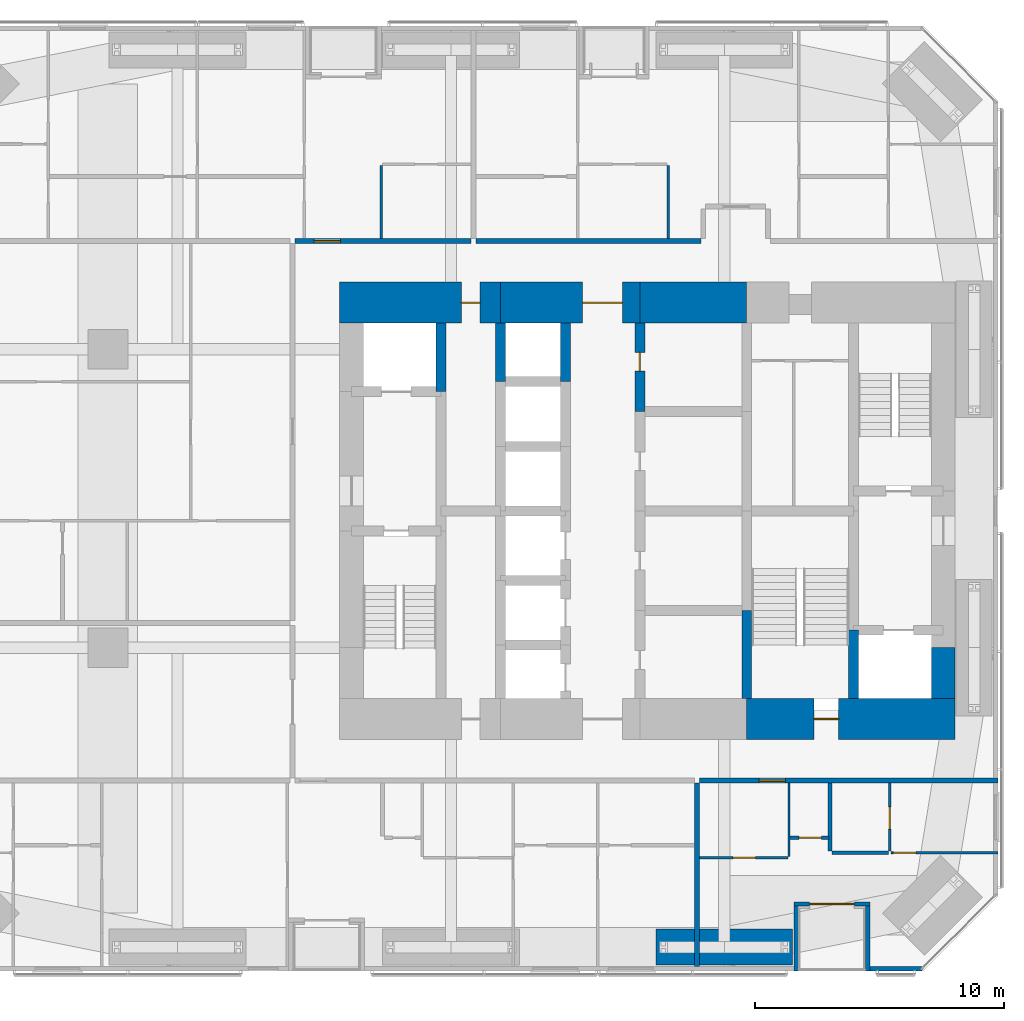
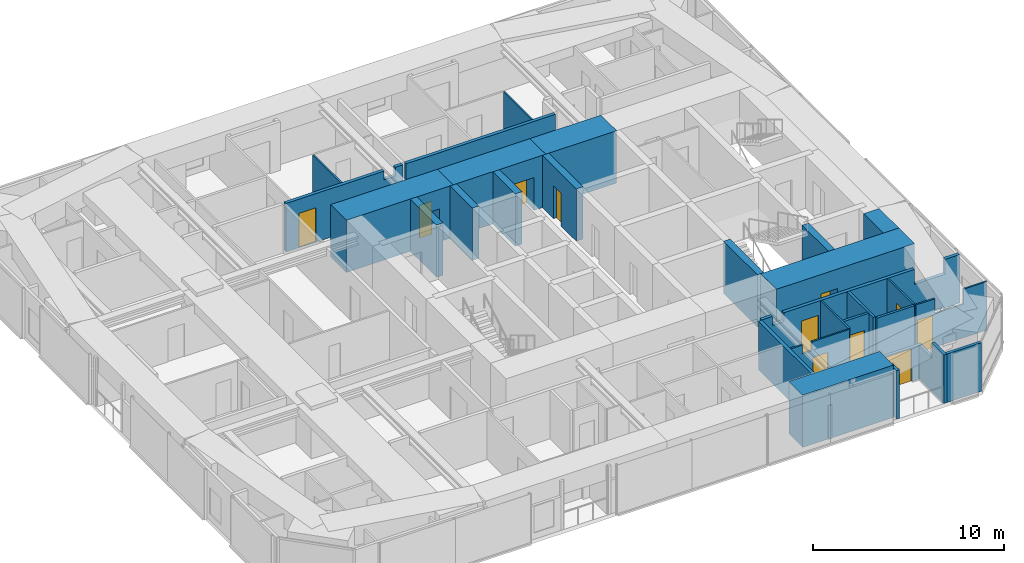
# One storey, part 18 of 22: 30 walls, 11 doors, 11 openings.
"""IFC4 building model written with IfcOpenShell, lengths in metres."""

from ifc_helpers import new_model, si_unit, direction, frame, frame_2d, origin, place, context, subcontext, project, spatial, polyline, rectangle, outline, extrude, material, layer, layer_set, constituent, constituent_set, type_object, element, fill, save


model = new_model("IFC4")

# Units and contexts
model_context = context("Model", 3, precision=1e-05, world=origin(), true_north=direction((0.0, 1.0)))
body_context = subcontext(model_context, "Body", "Model", "MODEL_VIEW")
ifc_project = project(units=[si_unit("LENGTHUNIT", "METRE"), si_unit("AREAUNIT", "SQUARE_METRE"), si_unit("VOLUMEUNIT", "CUBIC_METRE"), si_unit("PLANEANGLEUNIT", "RADIAN"), si_unit("MASSUNIT", "GRAM", prefix="KILO")], contexts=[model_context])

# Site, building, storey
site_placement = place(None, origin())
site = spatial("IfcSite", under=ifc_project, at=site_placement, CompositionType="ELEMENT")
building_placement = place(site_placement, origin())
building = spatial("IfcBuilding", under=site, at=building_placement, Name="Jalousie Tower", CompositionType="ELEMENT")
storey_placement = place(building_placement, frame((0.0, 0.0, 64.550048828125)))
storey = spatial("IfcBuildingStorey", under=building, at=storey_placement, Name="L17", CompositionType="ELEMENT", Elevation=64.550048828125)

# Walls
ifc_material_1 = material(Name="Concrete block ASTM C90", Category="concrete")
ifc_constituent_1 = constituent(ifc_material_1, Name="Body")
ifc_material_2 = material(Name="Render")
ifc_constituent_2 = constituent(ifc_material_2, Name="Finish")
ifc_constituent_set_1 = constituent_set(constituents=[ifc_constituent_1, ifc_constituent_2])
wall_type_1 = type_object("IfcWallType", Name="BATHROOM WALL 150", PredefinedType="PLUMBINGWALL", material=ifc_constituent_set_1)
wall_1_placement = place(storey_placement, frame((39.324951171875, 4.74658203125, 0.0), z_axis=(0.0, 0.0, 1.0), x_axis=(1.0, 0.0, 0.0)))
element("IfcWall", 1, at=wall_1_placement, inside=storey, type_object=wall_type_1, Name="Bathroom Wall 150 L17", PredefinedType="PLUMBINGWALL", context=body_context, shape_type="SweptSolid", body=[
    extrude(rectangle(XDim=2.275146484375, YDim=0.14990234375, at=frame_2d((1.1376953125, 0.0))), origin(), (0.0, 0.0, 1.0), 3.10986328125),
])
wall_2_placement = place(storey_placement, frame((39.25, 4.82177734375, 0.0), z_axis=(0.0, 0.0, 1.0), x_axis=(0.0, 1.0, 0.0)))
element("IfcWall", 2, at=wall_2_placement, inside=storey, type_object=wall_type_1, Name="Bathroom Wall 150 L17", PredefinedType="PLUMBINGWALL", context=body_context, shape_type="SweptSolid", body=[
    extrude(rectangle(XDim=2.728271484375, YDim=0.14990234375, at=frame_2d((1.3642578125, 0.0))), origin(), (0.0, 0.0, 1.0), 3.10986328125),
])

# Wall, opening, door
wall_3_placement = place(storey_placement, frame((37.64990234375, 5.35009765625, 0.0), z_axis=(0.0, 0.0, 1.0), x_axis=(1.0, 0.0, 0.0)))
wall_3 = element("IfcWall", 3, at=wall_3_placement, inside=storey, type_object=wall_type_1, Name="Bathroom Wall 150 L17", PredefinedType="PLUMBINGWALL", context=body_context, shape_type="SweptSolid", body=[
    extrude(rectangle(XDim=1.550048828125, YDim=0.14990234375, at=frame_2d((0.77490234375, 0.0))), origin(), (0.0, 0.0, 1.0), 3.10986328125),
])
opening_1_placement = place(wall_3_placement, frame((0.35009765625, 0.0, 0.0)))
opening_1 = element("IfcOpeningElement", 4, at=opening_1_placement, cuts=wall_3, Name="Opening D7", PredefinedType="OPENING", context=body_context, shape_type="SweptSolid", body=[
    extrude(rectangle(XDim=0.89990234375, YDim=2.10009765625, at=frame_2d((0.449951171875, 1.050048828125))), frame((0.0, 0.0849609375, 0.0), z_axis=(0.0, -1.0, 0.0), x_axis=(1.0, 0.0, 0.0)), (0.0, 0.0, 1.0), 0.169921875),
])
ifc_material_3 = material(Name="Timber door", Category="wood")
door_type_1 = type_object("IfcDoorType", Name="INTERNAL DOOR 900", OperationType="SINGLE_SWING_LEFT", PredefinedType="DOOR", material=ifc_material_3)
door_1_placement = place(opening_1_placement, origin())
door_1 = element("IfcDoor", 5, at=door_1_placement, inside=storey, type_object=door_type_1, Name="Apartment 1702 guest WC door", OperationType="SINGLE_SWING_RIGHT", OverallHeight=2.10009765625, OverallWidth=0.89990234375, PredefinedType="DOOR", context=body_context, shape_type="SweptSolid", body=[
    extrude(rectangle(XDim=0.89990234375, YDim=2.10009765625, at=frame_2d((0.449951171875, 1.050048828125))), frame((0.0, 0.02490234375, 0.0), z_axis=(0.0, -1.0, 0.0), x_axis=(1.0, 0.0, 0.0)), (0.0, 0.0, 1.0), 0.050048828125),
])
fill(opening_1, door_1)

ifc_material_4 = material(Name="Concrete f'c 120 MPa", Category="concrete")
ifc_layer_1 = layer(ifc_material_4, 1.64990234375)
ifc_layer_set_1 = layer_set([ifc_layer_1], Name="Concrete f'c 120 MPa")
wall_type_2 = type_object("IfcWallType", Name="CORE WALL 1650", PredefinedType="SHEAR", material=ifc_layer_set_1)
wall_4_placement = place(storey_placement, frame((35.89990234375, 10.125, 0.0), z_axis=(0.0, 0.0, 1.0), x_axis=(1.0, 0.0, 0.0)))
wall_4 = element("IfcWall", 6, at=wall_4_placement, inside=storey, type_object=wall_type_2, Name="Core wall SD L17", PredefinedType="SHEAR", context=body_context, shape_type="SweptSolid", body=[
    extrude(rectangle(XDim=8.375, YDim=1.64990234375, at=frame_2d((4.1875, 0.0))), origin(), (0.0, 0.0, 1.0), 3.349853515625),
])
opening_2_placement = place(wall_4_placement, frame((2.699951171875, 0.0, 0.0)))
opening_2 = element("IfcOpeningElement", 7, at=opening_2_placement, cuts=wall_4, Name="Opening D10", PredefinedType="OPENING", context=body_context, shape_type="SweptSolid", body=[
    extrude(rectangle(XDim=1.0, YDim=2.10009765625, at=frame_2d((0.5, 1.050048828125))), frame((0.0, 0.8349609375, 0.0), z_axis=(0.0, -1.0, 0.0), x_axis=(1.0, 0.0, 0.0)), (0.0, 0.0, 1.0), 1.669921875),
])
ifc_material_5 = material(Name="Steel fire door", Category="steel")
door_type_2 = type_object("IfcDoorType", Name="STAIR DOOR 1000", OperationType="SINGLE_SWING_LEFT", PredefinedType="DOOR", material=ifc_material_5)
door_2_placement = place(opening_2_placement, origin())
door_2 = element("IfcDoor", 8, at=door_2_placement, inside=storey, type_object=door_type_2, Name="Exit stair C door", OperationType="SINGLE_SWING_RIGHT", OverallHeight=2.10009765625, OverallWidth=1.0, PredefinedType="DOOR", context=body_context, shape_type="SweptSolid", body=[
    extrude(rectangle(XDim=1.0, YDim=2.10009765625, at=frame_2d((0.5, 1.050048828125))), frame((0.0, 0.02490234375, 0.0), z_axis=(0.0, -1.0, 0.0), x_axis=(1.0, 0.0, 0.0)), (0.0, 0.0, 1.0), 0.050048828125),
])
fill(opening_2, door_2)

# Wall
wall_5_placement = place(storey_placement, frame((35.89990234375, 26.875, 0.0), z_axis=(0.0, 0.0, 1.0), x_axis=(-1.0, 0.0, 0.0)))
element("IfcWall", 9, at=wall_5_placement, inside=storey, type_object=wall_type_2, Name="Core wall NB L17", PredefinedType="SHEAR", context=body_context, shape_type="SweptSolid", body=[
    extrude(rectangle(XDim=4.2998046875, YDim=1.64990234375, at=frame_2d((2.14990234375, 0.0))), origin(), (0.0, 0.0, 1.0), 3.349853515625),
])

# Wall, opening, door
wall_6_placement = place(storey_placement, frame((31.60009765625, 26.875, 0.0), z_axis=(0.0, 0.0, 1.0), x_axis=(-1.0, 0.0, 0.0)))
wall_6 = element("IfcWall", 10, at=wall_6_placement, inside=storey, type_object=wall_type_2, Name="Core wall NC L17", PredefinedType="SHEAR", context=body_context, shape_type="SweptSolid", body=[
    extrude(rectangle(XDim=5.60009765625, YDim=1.64990234375, at=frame_2d((2.800048828125, 0.0))), origin(), (0.0, 0.0, 1.0), 3.349853515625),
])
opening_3_placement = place(wall_6_placement, frame((0.699951171875, 0.0, 0.0)))
opening_3 = element("IfcOpeningElement", 11, at=opening_3_placement, cuts=wall_6, Name="Opening D15", PredefinedType="OPENING", context=body_context, shape_type="SweptSolid", body=[
    extrude(rectangle(XDim=1.60009765625, YDim=2.10009765625, at=frame_2d((0.800048828125, 1.050048828125))), frame((0.0, 0.8349609375, 0.0), z_axis=(0.0, -1.0, 0.0), x_axis=(1.0, 0.0, 0.0)), (0.0, 0.0, 1.0), 1.669921875),
])
ifc_material_6 = material(Name="Steel fire door", Category="steel")
door_type_3 = type_object("IfcDoorType", Name="LIFT LOBBY DOOR 1600", OperationType="DOUBLE_DOOR_SINGLE_SWING", PredefinedType="DOOR", material=ifc_material_6)
door_3_placement = place(opening_3_placement, origin())
door_3 = element("IfcDoor", 12, at=door_3_placement, inside=storey, type_object=door_type_3, Name="Lift lobby north door", OperationType="DOUBLE_DOOR_SINGLE_SWING", OverallHeight=2.10009765625, OverallWidth=1.60009765625, PredefinedType="DOOR", context=body_context, shape_type="SweptSolid", body=[
    extrude(rectangle(XDim=1.60009765625, YDim=2.10009765625, at=frame_2d((0.800048828125, 1.050048828125))), frame((0.0, 0.02490234375, 0.0), z_axis=(0.0, -1.0, 0.0), x_axis=(1.0, 0.0, 0.0)), (0.0, 0.0, 1.0), 0.050048828125),
])
fill(opening_3, door_3)

wall_7_placement = place(storey_placement, frame((26.0, 26.875, 0.0), z_axis=(0.0, 0.0, 1.0), x_axis=(-1.0, 0.0, 0.0)))
wall_7 = element("IfcWall", 13, at=wall_7_placement, inside=storey, type_object=wall_type_2, Name="Core wall ND L17", PredefinedType="SHEAR", context=body_context, shape_type="SweptSolid", body=[
    extrude(rectangle(XDim=6.47509765625, YDim=1.64990234375, at=frame_2d((3.237548828125, 0.0))), origin(), (0.0, 0.0, 1.0), 3.349853515625),
])
opening_4_placement = place(wall_7_placement, frame((0.824951171875, 0.0, 0.0)))
opening_4 = element("IfcOpeningElement", 14, at=opening_4_placement, cuts=wall_7, Name="Opening D16", PredefinedType="OPENING", context=body_context, shape_type="SweptSolid", body=[
    extrude(rectangle(XDim=0.75, YDim=2.10009765625, at=frame_2d((0.375, 1.050048828125))), frame((0.0, 0.8349609375, 0.0), z_axis=(0.0, -1.0, 0.0), x_axis=(1.0, 0.0, 0.0)), (0.0, 0.0, 1.0), 1.669921875),
])
ifc_material_7 = material(Name="Steel fire door", Category="steel")
door_type_4 = type_object("IfcDoorType", Name="RISER DOOR 750", OperationType="SINGLE_SWING_LEFT", PredefinedType="DOOR", material=ifc_material_7)
door_4_placement = place(opening_4_placement, origin())
door_4 = element("IfcDoor", 15, at=door_4_placement, inside=storey, type_object=door_type_4, Name="North riser door", OperationType="SINGLE_SWING_RIGHT", OverallHeight=2.10009765625, OverallWidth=0.75, PredefinedType="DOOR", context=body_context, shape_type="SweptSolid", body=[
    extrude(rectangle(XDim=0.75, YDim=2.10009765625, at=frame_2d((0.375, 1.050048828125))), frame((0.0, 0.02490234375, 0.0), z_axis=(0.0, -1.0, 0.0), x_axis=(1.0, 0.0, 0.0)), (0.0, 0.0, 1.0), 0.050048828125),
])
fill(opening_4, door_4)

# Walls
ifc_material_8 = material(Name="Concrete f'c 120 MPa", Category="concrete")
ifc_layer_2 = layer(ifc_material_8, 0.39990234375)
ifc_layer_set_2 = layer_set([ifc_layer_2], Name="Concrete f'c 120 MPa")
wall_type_3 = type_object("IfcWallType", Name="CORE WALL 400", PredefinedType="SHEAR", material=ifc_layer_set_2)
wall_8_placement = place(storey_placement, frame((23.60009765625, 23.300048828125, 0.0), z_axis=(0.0, 0.0, 1.0), x_axis=(0.0, 1.0, 0.0)))
element("IfcWall", 16, at=wall_8_placement, inside=storey, type_object=wall_type_3, Name="Core wall X23.6C L17", PredefinedType="SHEAR", context=body_context, shape_type="SweptSolid", body=[
    extrude(rectangle(XDim=2.75, YDim=0.39990234375, at=frame_2d((1.375, 0.0))), origin(), (0.0, 0.0, 1.0), 3.349853515625),
])
for number, where, z_axis, x_axis, name in (
    (17, (26.0, 23.699951171875, 0.0), (0.0, 0.0, 1.0), (0.0, 1.0, 0.0), "Core wall X26F L17"),
    (18, (28.60009765625, 23.699951171875, 0.0), (0.0, 0.0, 1.0), (0.0, 1.0, 0.0), "Core wall X28.6F L17"),
):
    element("IfcWall", number, at=place(storey_placement, frame(where, z_axis=z_axis, x_axis=x_axis)), inside=storey, type_object=wall_type_3, Name=name, PredefinedType="SHEAR", context=body_context, shape_type="SweptSolid", body=[
        extrude(rectangle(XDim=2.35009765625, YDim=0.39990234375, at=frame_2d((1.175048828125, 0.0))), origin(), (0.0, 0.0, 1.0), 3.349853515625),
    ])

# Wall, opening, door
wall_9_placement = place(storey_placement, frame((31.60009765625, 22.5, 0.0), z_axis=(0.0, 0.0, 1.0), x_axis=(0.0, 1.0, 0.0)))
wall_9 = element("IfcWall", 19, at=wall_9_placement, inside=storey, type_object=wall_type_3, Name="Core wall X31.6D L17", PredefinedType="SHEAR", context=body_context, shape_type="SweptSolid", body=[
    extrude(rectangle(XDim=3.550048828125, YDim=0.39990234375, at=frame_2d((1.77490234375, 0.0))), origin(), (0.0, 0.0, 1.0), 3.349853515625),
])
opening_5_placement = place(wall_9_placement, frame((1.625, 0.0, 0.0)))
opening_5 = element("IfcOpeningElement", 20, at=opening_5_placement, cuts=wall_9, Name="Opening D16", PredefinedType="OPENING", context=body_context, shape_type="SweptSolid", body=[
    extrude(rectangle(XDim=0.75, YDim=2.10009765625, at=frame_2d((0.375, 1.050048828125))), frame((0.0, 0.2099609375, 0.0), z_axis=(0.0, -1.0, 0.0), x_axis=(1.0, 0.0, 0.0)), (0.0, 0.0, 1.0), 0.419921875),
])
door_5_placement = place(opening_5_placement, frame((0.75, 0.0, 0.0), z_axis=(0.0, 0.0, 1.0), x_axis=(-1.0, 0.0, 0.0)))
door_5 = element("IfcDoor", 21, at=door_5_placement, inside=storey, type_object=door_type_4, Name="Water Services Room door", OperationType="SINGLE_SWING_LEFT", OverallHeight=2.10009765625, OverallWidth=0.75, PredefinedType="DOOR", context=body_context, shape_type="SweptSolid", body=[
    extrude(rectangle(XDim=0.75, YDim=2.10009765625, at=frame_2d((0.375, 1.050048828125))), frame((0.0, 0.02490234375, 0.0), z_axis=(0.0, -1.0, 0.0), x_axis=(1.0, 0.0, 0.0)), (0.0, 0.0, 1.0), 0.050048828125),
])
fill(opening_5, door_5)

# Walls
wall_10_placement = place(storey_placement, frame((35.89990234375, 10.949951171875, 0.0), z_axis=(0.0, 0.0, 1.0), x_axis=(0.0, 1.0, 0.0)))
element("IfcWall", 22, at=wall_10_placement, inside=storey, type_object=wall_type_3, Name="Core wall X35.9A L17", PredefinedType="SHEAR", context=body_context, shape_type="SweptSolid", body=[
    extrude(rectangle(XDim=3.550048828125, YDim=0.39990234375, at=frame_2d((1.77490234375, 0.0))), origin(), (0.0, 0.0, 1.0), 3.349853515625),
])
wall_11_placement = place(storey_placement, frame((40.199951171875, 10.949951171875, 0.0), z_axis=(0.0, 0.0, 1.0), x_axis=(0.0, 1.0, 0.0)))
element("IfcWall", 23, at=wall_11_placement, inside=storey, type_object=wall_type_3, Name="Core wall X40.2A L17", PredefinedType="SHEAR", context=body_context, shape_type="SweptSolid", body=[
    extrude(rectangle(XDim=2.75, YDim=0.39990234375, at=frame_2d((1.375, 0.0))), origin(), (0.0, 0.0, 1.0), 3.349853515625),
])
ifc_material_9 = material(Name="Concrete f'c 120 MPa", Category="concrete")
ifc_layer_3 = layer(ifc_material_9, 0.949951171875)
ifc_layer_set_3 = layer_set([ifc_layer_3], Name="Concrete f'c 120 MPa")
wall_type_4 = type_object("IfcWallType", Name="CORE WALL 950", PredefinedType="SHEAR", material=ifc_layer_set_3)
wall_12_placement = place(storey_placement, frame((43.800048828125, 10.949951171875, 0.0), z_axis=(0.0, 0.0, 1.0), x_axis=(0.0, 1.0, 0.0)))
element("IfcWall", 24, at=wall_12_placement, inside=storey, type_object=wall_type_4, Name="Core wall EA L17", PredefinedType="SHEAR", context=body_context, shape_type="SweptSolid", body=[
    extrude(rectangle(XDim=2.050048828125, YDim=0.949951171875, at=frame_2d((1.02490234375, 0.0))), origin(), (0.0, 0.0, 1.0), 3.349853515625),
])

# Wall, opening, door
ifc_material_10 = material(Name="Concrete block ASTM C90", Category="concrete")
ifc_constituent_3 = constituent(ifc_material_10, Name="Body")
ifc_material_11 = material(Name="Render")
ifc_constituent_4 = constituent(ifc_material_11, Name="Finish")
ifc_constituent_set_2 = constituent_set(constituents=[ifc_constituent_3, ifc_constituent_4])
wall_type_5 = type_object("IfcWallType", Name="CORRIDOR WALL 200", PredefinedType="PARTITIONING", material=ifc_constituent_set_2)
wall_13_placement = place(storey_placement, frame((34.0, 7.64990234375, 0.0), z_axis=(0.0, 0.0, 1.0), x_axis=(1.0, 0.0, 0.0)))
wall_13 = element("IfcWall", 25, at=wall_13_placement, inside=storey, type_object=wall_type_5, Name="Corridor Wall 200 L17", PredefinedType="PARTITIONING", context=body_context, shape_type="SweptSolid", body=[
    extrude(outline(polyline([(0.0, 0.0), (12.0, 0.0), (12.0, 3.10986328125), (11.104248046875, 3.10986328125), (11.104248046875, 2.14990234375), (9.260498046875, 2.14990234375), (9.260498046875, 3.10986328125), (1.33740234375, 3.10986328125), (1.33740234375, 2.541015625), (0.66259765625, 2.541015625), (0.66259765625, 3.10986328125), (0.0, 3.10986328125), (0.0, 0.0)])), frame((0.0, 0.10009765625, 0.0), z_axis=(0.0, -1.0, 0.0), x_axis=(1.0, 0.0, 0.0)), (0.0, 0.0, 1.0), 0.199951171875),
])
opening_6_placement = place(wall_13_placement, frame((2.39990234375, 0.0, 0.0)))
opening_6 = element("IfcOpeningElement", 26, at=opening_6_placement, cuts=wall_13, Name="Opening D1", PredefinedType="OPENING", context=body_context, shape_type="SweptSolid", body=[
    extrude(rectangle(XDim=1.050048828125, YDim=2.199951171875, at=frame_2d((0.52490234375, 1.10009765625))), frame((0.0, 0.10986328125, 0.0), z_axis=(0.0, -1.0, 0.0), x_axis=(1.0, 0.0, 0.0)), (0.0, 0.0, 1.0), 0.219970703125),
])
ifc_material_12 = material(Name="Timber fire door", Category="wood")
door_type_5 = type_object("IfcDoorType", Name="APARTMENT ENTRANCE DOOR 1050", OperationType="SINGLE_SWING_LEFT", PredefinedType="DOOR", material=ifc_material_12)
door_6_placement = place(opening_6_placement, frame((1.050048828125, 0.0, 0.0), z_axis=(0.0, 0.0, 1.0), x_axis=(-1.0, 0.0, 0.0)))
door_6 = element("IfcDoor", 27, at=door_6_placement, inside=storey, type_object=door_type_5, Name="Apartment 1702 entrance", OperationType="SINGLE_SWING_LEFT", OverallHeight=2.199951171875, OverallWidth=1.050048828125, PredefinedType="DOOR", context=body_context, shape_type="SweptSolid", body=[
    extrude(rectangle(XDim=1.050048828125, YDim=2.199951171875, at=frame_2d((0.52490234375, 1.10009765625))), frame((0.0, 0.02490234375, 0.0), z_axis=(0.0, -1.0, 0.0), x_axis=(1.0, 0.0, 0.0)), (0.0, 0.0, 1.0), 0.050048828125),
])
fill(opening_6, door_6)

wall_14_placement = place(storey_placement, frame((17.72509765625, 29.35009765625, 0.0), z_axis=(0.0, 0.0, 1.0), x_axis=(1.0, 0.0, 0.0)))
wall_14 = element("IfcWall", 28, at=wall_14_placement, inside=storey, type_object=wall_type_5, Name="Corridor Wall 200 L17", PredefinedType="PARTITIONING", context=body_context, shape_type="SweptSolid", body=[
    extrude(outline(polyline([(0.0, 0.0), (7.074951171875, 0.0), (7.074951171875, 3.10986328125), (6.6123046875, 3.10986328125), (6.6123046875, 2.541015625), (5.9375, 2.541015625), (5.9375, 3.10986328125), (0.0, 3.10986328125), (0.0, 0.0)])), frame((0.0, 0.10009765625, 0.0), z_axis=(0.0, -1.0, 0.0), x_axis=(1.0, 0.0, 0.0)), (0.0, 0.0, 1.0), 0.199951171875),
])
opening_7_placement = place(wall_14_placement, frame((0.77490234375, 0.0, 0.0)))
opening_7 = element("IfcOpeningElement", 29, at=opening_7_placement, cuts=wall_14, Name="Opening D1", PredefinedType="OPENING", context=body_context, shape_type="SweptSolid", body=[
    extrude(rectangle(XDim=1.050048828125, YDim=2.199951171875, at=frame_2d((0.52490234375, 1.10009765625))), frame((0.0, 0.10986328125, 0.0), z_axis=(0.0, -1.0, 0.0), x_axis=(1.0, 0.0, 0.0)), (0.0, 0.0, 1.0), 0.219970703125),
])
door_7_placement = place(opening_7_placement, origin())
door_7 = element("IfcDoor", 30, at=door_7_placement, inside=storey, type_object=door_type_5, Name="Apartment 1703 entrance", OperationType="SINGLE_SWING_LEFT", OverallHeight=2.199951171875, OverallWidth=1.050048828125, PredefinedType="DOOR", context=body_context, shape_type="SweptSolid", body=[
    extrude(rectangle(XDim=1.050048828125, YDim=2.199951171875, at=frame_2d((0.52490234375, 1.10009765625))), frame((0.0, 0.02490234375, 0.0), z_axis=(0.0, -1.0, 0.0), x_axis=(1.0, 0.0, 0.0)), (0.0, 0.0, 1.0), 0.050048828125),
])
fill(opening_7, door_7)

# Walls
wall_15_placement = place(storey_placement, frame((25.0, 29.35009765625, 0.0), z_axis=(0.0, 0.0, 1.0), x_axis=(1.0, 0.0, 0.0)))
element("IfcWall", 31, at=wall_15_placement, inside=storey, type_object=wall_type_5, Name="Corridor Wall 200 L17", PredefinedType="PARTITIONING", context=body_context, shape_type="SweptSolid", body=[
    extrude(rectangle(XDim=9.050048828125, YDim=0.199951171875, at=frame_2d((4.52490234375, 0.0))), origin(), (0.0, 0.0, 1.0), 3.10986328125),
])
ifc_material_13 = material(Name="Concrete f'c 40 MPa", Category="concrete")
ifc_constituent_5 = constituent(ifc_material_13, Name="Body")
ifc_material_14 = material(Name="Render, pastel coral")
ifc_constituent_6 = constituent(ifc_material_14, Name="Finish")
ifc_constituent_set_3 = constituent_set(constituents=[ifc_constituent_5, ifc_constituent_6])
wall_type_6 = type_object("IfcWallType", Name="EXTERNAL WALL 175 CORAL RENDER", PredefinedType="SOLIDWALL", material=ifc_constituent_set_3)
wall_16_placement = place(storey_placement, frame((40.85009765625, 0.08740234375, 0.0), z_axis=(0.0, 0.0, 1.0), x_axis=(1.0, 0.0, 0.0)))
element("IfcWall", 32, at=wall_16_placement, inside=storey, type_object=wall_type_6, Name="External Wall 175 Coral Render L17", PredefinedType="SOLIDWALL", context=body_context, shape_type="SweptSolid", body=[
    extrude(rectangle(XDim=2.0986328125, YDim=0.175048828125, at=frame_2d((1.04931640625, 0.0))), origin(), (0.0, 0.0, 1.0), 3.10986328125),
])
wall_17_placement = place(storey_placement, frame((37.800048828125, 2.6875, 0.0), z_axis=(0.0, 0.0, 1.0), x_axis=(1.0, 0.0, 0.0)))
element("IfcWall", 33, at=wall_17_placement, inside=storey, type_object=wall_type_6, Name="External Wall 175 Coral Render L17-A", PredefinedType="SOLIDWALL", context=body_context, shape_type="SweptSolid", body=[
    extrude(rectangle(XDim=0.625, YDim=0.175048828125, at=frame_2d((0.3125, 0.0))), origin(), (0.0, 0.0, 1.0), 2.510009765625),
])

# Wall, opening, door
wall_18_placement = place(storey_placement, frame((38.425048828125, 2.6875, 0.0), z_axis=(0.0, 0.0, 1.0), x_axis=(1.0, 0.0, 0.0)))
wall_18 = element("IfcWall", 34, at=wall_18_placement, inside=storey, type_object=wall_type_6, Name="External Wall 175 Coral Render L17-B", PredefinedType="SOLIDWALL", context=body_context, shape_type="SweptSolid", body=[
    extrude(rectangle(XDim=2.425048828125, YDim=0.175048828125, at=frame_2d((1.21240234375, 0.0))), origin(), (0.0, 0.0, 1.0), 2.14990234375),
])
opening_8_placement = place(wall_18_placement, origin())
opening_8 = element("IfcOpeningElement", 35, at=opening_8_placement, cuts=wall_18, Name="Opening D-BAL21", PredefinedType="OPENING", context=body_context, shape_type="SweptSolid", body=[
    extrude(rectangle(XDim=1.800048828125, YDim=2.10009765625, at=frame_2d((0.89990234375, 1.050048828125))), frame((0.0, 0.097412109375, 0.0), z_axis=(0.0, -1.0, 0.0), x_axis=(1.0, 0.0, 0.0)), (0.0, 0.0, 1.0), 0.195068359375),
])
ifc_material_15 = material(Name="Aluminium frame, impact-rated glazing", Category="aluminium")
door_type_6 = type_object("IfcDoorType", Name="BALCONY DOOR 1800x2100", OperationType="SLIDING_TO_LEFT", PredefinedType="DOOR", material=ifc_material_15)
door_8_placement = place(opening_8_placement, origin())
door_8 = element("IfcDoor", 36, at=door_8_placement, inside=storey, type_object=door_type_6, Name="Apartment 1702 living and dining room loggia door", OperationType="SLIDING_TO_LEFT", OverallHeight=2.10009765625, OverallWidth=1.800048828125, PredefinedType="DOOR", context=body_context, shape_type="SweptSolid", body=[
    extrude(rectangle(XDim=1.800048828125, YDim=2.10009765625, at=frame_2d((0.89990234375, 1.050048828125))), frame((0.0, 0.02490234375, 0.0), z_axis=(0.0, -1.0, 0.0), x_axis=(1.0, 0.0, 0.0)), (0.0, 0.0, 1.0), 0.050048828125),
])
fill(opening_8, door_8)

# Walls
wall_19_placement = place(storey_placement, frame((37.887451171875, 0.0, 0.0), z_axis=(0.0, 0.0, 1.0), x_axis=(0.0, 1.0, 0.0)))
element("IfcWall", 37, at=wall_19_placement, inside=storey, type_object=wall_type_6, Name="External Wall 175 Coral Render L17", PredefinedType="SOLIDWALL", context=body_context, shape_type="SweptSolid", body=[
    extrude(outline(polyline([(0.0, 0.0), (2.60009765625, 0.0), (2.60009765625, 2.510009765625), (2.36376953125, 2.510009765625), (2.36376953125, 2.14990234375), (0.696533203125, 2.14990234375), (0.696533203125, 3.10986328125), (0.0, 3.10986328125), (0.0, 0.0)])), frame((0.0, 0.08740234375, 0.0), z_axis=(0.0, -1.0, 0.0), x_axis=(1.0, 0.0, 0.0)), (0.0, 0.0, 1.0), 0.175048828125),
])
wall_20_placement = place(storey_placement, frame((40.762451171875, 0.0, 0.0), z_axis=(0.0, 0.0, 1.0), x_axis=(0.0, 1.0, 0.0)))
element("IfcWall", 38, at=wall_20_placement, inside=storey, type_object=wall_type_6, Name="External Wall 175 Coral Render L17", PredefinedType="SOLIDWALL", context=body_context, shape_type="SweptSolid", body=[
    extrude(outline(polyline([(0.0, 0.0), (2.60009765625, 0.0), (2.60009765625, 2.14990234375), (1.274169921875, 2.14990234375), (1.274169921875, 3.10986328125), (0.0, 3.10986328125), (0.0, 0.0)])), frame((0.0, 0.08740234375, 0.0), z_axis=(0.0, -1.0, 0.0), x_axis=(1.0, 0.0, 0.0)), (0.0, 0.0, 1.0), 0.175048828125),
])

# Wall, opening, door
ifc_material_16 = material(Name="Gypsum board", Category="gypsum")
ifc_constituent_7 = constituent(ifc_material_16, Name="Body")
ifc_material_17 = material(Name="Light-gauge steel studs ASTM A653 SS Grade 33", Category="steel")
ifc_constituent_8 = constituent(ifc_material_17, Name="Framing")
ifc_constituent_set_4 = constituent_set(constituents=[ifc_constituent_7, ifc_constituent_8])
wall_type_7 = type_object("IfcWallType", Name="PARTITION 100", PredefinedType="PARTITIONING", material=ifc_constituent_set_4)
wall_21_placement = place(storey_placement, frame((41.64990234375, 4.82177734375, 0.0), z_axis=(0.0, 0.0, 1.0), x_axis=(0.0, 1.0, 0.0)))
wall_21 = element("IfcWall", 39, at=wall_21_placement, inside=storey, type_object=wall_type_7, Name="Partition 100 L17", PredefinedType="PARTITIONING", context=body_context, shape_type="SweptSolid", body=[
    extrude(rectangle(XDim=2.728271484375, YDim=0.10009765625, at=frame_2d((1.3642578125, 0.0))), origin(), (0.0, 0.0, 1.0), 3.10986328125),
])
opening_9_placement = place(wall_21_placement, frame((0.876708984375, 0.0, 0.0)))
opening_9 = element("IfcOpeningElement", 40, at=opening_9_placement, cuts=wall_21, Name="Opening D3", PredefinedType="OPENING", context=body_context, shape_type="SweptSolid", body=[
    extrude(rectangle(XDim=0.89990234375, YDim=2.10009765625, at=frame_2d((0.449951171875, 1.050048828125))), frame((0.0, 0.06005859375, 0.0), z_axis=(0.0, -1.0, 0.0), x_axis=(1.0, 0.0, 0.0)), (0.0, 0.0, 1.0), 0.1201171875),
])
ifc_material_18 = material(Name="Timber door", Category="wood")
door_type_7 = type_object("IfcDoorType", Name="BATHROOM DOOR 900", OperationType="SINGLE_SWING_LEFT", PredefinedType="DOOR", material=ifc_material_18)
door_9_placement = place(opening_9_placement, origin())
door_9 = element("IfcDoor", 41, at=door_9_placement, inside=storey, type_object=door_type_7, Name="Apartment 1702 bedroom 1 bathroom door", OperationType="SINGLE_SWING_LEFT", OverallHeight=2.10009765625, OverallWidth=0.89990234375, PredefinedType="DOOR", context=body_context, shape_type="SweptSolid", body=[
    extrude(rectangle(XDim=0.89990234375, YDim=2.10009765625, at=frame_2d((0.449951171875, 1.050048828125))), frame((0.0, 0.02490234375, 0.0), z_axis=(0.0, -1.0, 0.0), x_axis=(1.0, 0.0, 0.0)), (0.0, 0.0, 1.0), 0.050048828125),
])
fill(opening_9, door_9)

wall_22_placement = place(storey_placement, frame((41.699951171875, 4.74658203125, 0.0), z_axis=(0.0, 0.0, 1.0), x_axis=(1.0, 0.0, 0.0)))
wall_22 = element("IfcWall", 42, at=wall_22_placement, inside=storey, type_object=wall_type_7, Name="Partition 100 L17", PredefinedType="PARTITIONING", context=body_context, shape_type="SweptSolid", body=[
    extrude(outline(polyline([(0.0, 0.0), (4.300048828125, 0.0), (4.300048828125, 3.10986328125), (2.8828125, 3.10986328125), (2.8828125, 2.14990234375), (1.140380859375, 2.14990234375), (1.140380859375, 3.10986328125), (0.0, 3.10986328125), (0.0, 0.0)])), frame((0.0, 0.050048828125, 0.0), z_axis=(0.0, -1.0, 0.0), x_axis=(1.0, 0.0, 0.0)), (0.0, 0.0, 1.0), 0.10009765625),
])
opening_10_placement = place(wall_22_placement, frame((0.10009765625, 0.0, 0.0)))
opening_10 = element("IfcOpeningElement", 43, at=opening_10_placement, cuts=wall_22, Name="Opening D2", PredefinedType="OPENING", context=body_context, shape_type="SweptSolid", body=[
    extrude(rectangle(XDim=0.89990234375, YDim=2.10009765625, at=frame_2d((0.449951171875, 1.050048828125))), frame((0.0, 0.06005859375, 0.0), z_axis=(0.0, -1.0, 0.0), x_axis=(1.0, 0.0, 0.0)), (0.0, 0.0, 1.0), 0.1201171875),
])
ifc_material_19 = material(Name="Timber door", Category="wood")
door_type_8 = type_object("IfcDoorType", Name="BEDROOM DOOR 900", OperationType="SINGLE_SWING_LEFT", PredefinedType="DOOR", material=ifc_material_19)
door_10_placement = place(opening_10_placement, origin())
door_10 = element("IfcDoor", 44, at=door_10_placement, inside=storey, type_object=door_type_8, Name="Apartment 1702 bedroom 1 door", OperationType="SINGLE_SWING_LEFT", OverallHeight=2.10009765625, OverallWidth=0.89990234375, PredefinedType="DOOR", context=body_context, shape_type="SweptSolid", body=[
    extrude(rectangle(XDim=0.89990234375, YDim=2.10009765625, at=frame_2d((0.449951171875, 1.050048828125))), frame((0.0, 0.02490234375, 0.0), z_axis=(0.0, -1.0, 0.0), x_axis=(1.0, 0.0, 0.0)), (0.0, 0.0, 1.0), 0.050048828125),
])
fill(opening_10, door_10)

wall_23_placement = place(storey_placement, frame((34.0, 4.550048828125, 0.0), z_axis=(0.0, 0.0, 1.0), x_axis=(1.0, 0.0, 0.0)))
wall_23 = element("IfcWall", 45, at=wall_23_placement, inside=storey, type_object=wall_type_7, Name="Partition 100 L17", PredefinedType="PARTITIONING", context=body_context, shape_type="SweptSolid", body=[
    extrude(outline(polyline([(0.0, 0.0), (3.550048828125, 0.0), (3.550048828125, 3.10986328125), (1.287353515625, 3.10986328125), (1.287353515625, 2.541015625), (0.712646484375, 2.541015625), (0.712646484375, 3.10986328125), (0.0, 3.10986328125), (0.0, 0.0)])), frame((0.0, 0.050048828125, 0.0), z_axis=(0.0, -1.0, 0.0), x_axis=(1.0, 0.0, 0.0)), (0.0, 0.0, 1.0), 0.10009765625),
])
opening_11_placement = place(wall_23_placement, frame((1.35009765625, 0.0, 0.0)))
opening_11 = element("IfcOpeningElement", 46, at=opening_11_placement, cuts=wall_23, Name="Opening D7", PredefinedType="OPENING", context=body_context, shape_type="SweptSolid", body=[
    extrude(rectangle(XDim=0.89990234375, YDim=2.10009765625, at=frame_2d((0.449951171875, 1.050048828125))), frame((0.0, 0.06005859375, 0.0), z_axis=(0.0, -1.0, 0.0), x_axis=(1.0, 0.0, 0.0)), (0.0, 0.0, 1.0), 0.1201171875),
])
door_11_placement = place(opening_11_placement, frame((0.89990234375, 0.0, 0.0), z_axis=(0.0, 0.0, 1.0), x_axis=(-1.0, 0.0, 0.0)))
door_11 = element("IfcDoor", 47, at=door_11_placement, inside=storey, type_object=door_type_1, Name="Apartment 1702 kitchen door", OperationType="SINGLE_SWING_RIGHT", OverallHeight=2.10009765625, OverallWidth=0.89990234375, PredefinedType="DOOR", context=body_context, shape_type="SweptSolid", body=[
    extrude(rectangle(XDim=0.89990234375, YDim=2.10009765625, at=frame_2d((0.449951171875, 1.050048828125))), frame((0.0, 0.02490234375, 0.0), z_axis=(0.0, -1.0, 0.0), x_axis=(1.0, 0.0, 0.0)), (0.0, 0.0, 1.0), 0.050048828125),
])
fill(opening_11, door_11)

# Walls
for number, where, z_axis, x_axis, name in (
    (48, (37.60009765625, 4.60009765625, 0.0), (0.0, 0.0, 1.0), (0.0, 1.0, 0.0), "Partition 100 L17"),
    (49, (21.199951171875, 32.39990234375, 0.0), (0.0, 0.0, 1.0), (0.0, -1.0, 0.0), "Partition 100 L17"),
    (50, (32.75, 32.39990234375, 0.0), (0.0, 0.0, 1.0), (0.0, -1.0, 0.0), "Partition 100 L17"),
):
    element("IfcWall", number, at=place(storey_placement, frame(where, z_axis=z_axis, x_axis=x_axis)), inside=storey, type_object=wall_type_7, Name=name, PredefinedType="PARTITIONING", context=body_context, shape_type="SweptSolid", body=[
        extrude(rectangle(XDim=2.949951171875, YDim=0.10009765625, at=frame_2d((1.47509765625, 0.0))), origin(), (0.0, 0.0, 1.0), 3.10986328125),
    ])
ifc_material_20 = material(Name="Concrete block ASTM C90", Category="concrete")
ifc_constituent_9 = constituent(ifc_material_20, Name="Body")
ifc_material_21 = material(Name="Render")
ifc_constituent_10 = constituent(ifc_material_21, Name="Finish")
ifc_constituent_set_5 = constituent_set(constituents=[ifc_constituent_9, ifc_constituent_10])
wall_type_8 = type_object("IfcWallType", Name="PARTY WALL 200", PredefinedType="PARTITIONING", material=ifc_constituent_set_5)
wall_24_placement = place(storey_placement, frame((33.89990234375, 0.175048828125, 0.0), z_axis=(0.0, 0.0, 1.0), x_axis=(0.0, 1.0, 0.0)))
element("IfcWall", 51, at=wall_24_placement, inside=storey, type_object=wall_type_8, Name="Party Wall 200 L17", PredefinedType="PARTITIONING", context=body_context, shape_type="SweptSolid", body=[
    extrude(outline(polyline([(0.52880859375, 2.14990234375), (0.0, 2.14990234375), (0.0, 0.0), (0.52880859375, 0.0), (0.52880859375, 0.751953125), (1.021240234375, 0.751953125), (1.021240234375, 0.0), (7.375, 0.0), (7.375, 3.10986328125), (1.68505859375, 3.10986328125), (1.68505859375, 2.14990234375), (1.021240234375, 2.14990234375), (1.021240234375, 1.39794921875), (0.52880859375, 1.39794921875), (0.52880859375, 2.14990234375)])), frame((0.0, 0.10009765625, 0.0), z_axis=(0.0, -1.0, 0.0), x_axis=(1.0, 0.0, 0.0)), (0.0, 0.0, 1.0), 0.199951171875),
])
ifc_material_22 = material(Name="Concrete f'c 120 MPa", Category="concrete")
ifc_layer_4 = layer(ifc_material_22, 1.449951171875)
ifc_layer_set_4 = layer_set([ifc_layer_4], Name="Concrete f'c 120 MPa")
wall_type_9 = type_object("IfcWallType", Name="RC WALL PIER 1450", PredefinedType="SHEAR", material=ifc_layer_set_4)
wall_25_placement = place(storey_placement, frame((32.25, 0.949951171875, 0.0), z_axis=(0.0, 0.0, 1.0), x_axis=(1.0, 0.0, 0.0)))
element("IfcWall", 52, at=wall_25_placement, inside=storey, type_object=wall_type_9, Name="Wall pier 04 L17", PredefinedType="SHEAR", context=body_context, shape_type="SweptSolid", body=[
    extrude(rectangle(XDim=5.5, YDim=1.449951171875, at=frame_2d((2.75, 0.0))), origin(), (0.0, 0.0, 1.0), 3.349853515625),
])

save(model, "model.ifc")
